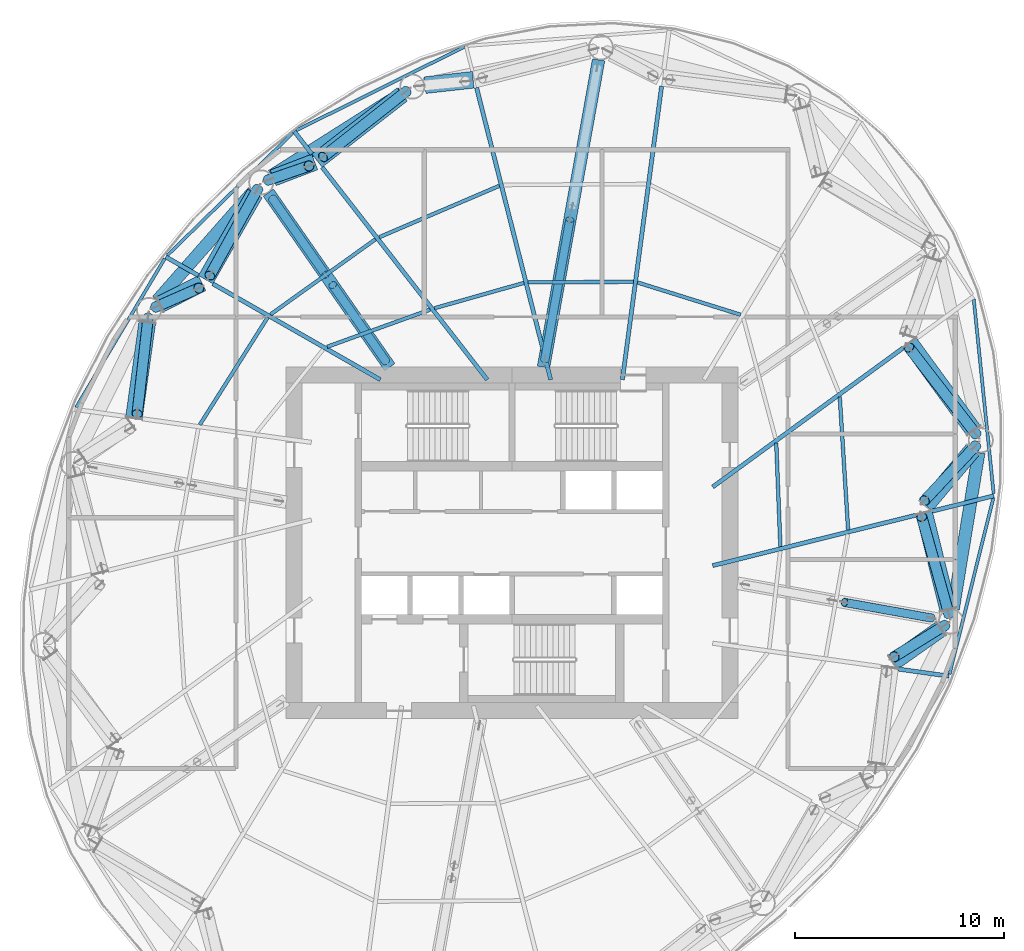
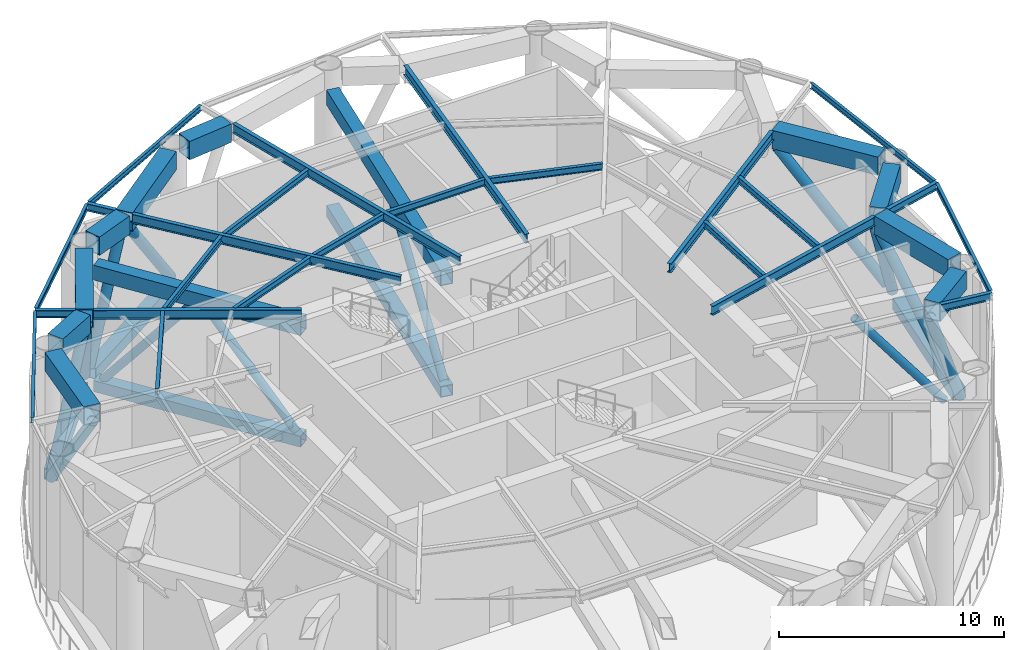
# One storey, part 3 of 15: 30 members, 24 beams.
"""IFC4 building model written with IfcOpenShell, lengths in metres."""

from ifc_helpers import new_model, si_unit, direction, frame, origin, origin_2d, place, context, subcontext, project, spatial, hollow_rectangle, hollow_circle, i_section, extrude, material, material_profile, profile_set, type_object, element, save


model = new_model("IFC4")

# Units and contexts
model_context = context("Model", 3, precision=1e-05, world=origin(), true_north=direction((0.0, 1.0)))
body_context = subcontext(model_context, "Body", "Model", "MODEL_VIEW")
ifc_project = project(units=[si_unit("LENGTHUNIT", "METRE"), si_unit("AREAUNIT", "SQUARE_METRE"), si_unit("VOLUMEUNIT", "CUBIC_METRE"), si_unit("PLANEANGLEUNIT", "RADIAN"), si_unit("MASSUNIT", "GRAM", prefix="KILO")], contexts=[model_context])

# Site, building, storey
site_placement = place(None, origin())
site = spatial("IfcSite", under=ifc_project, at=site_placement, CompositionType="ELEMENT")
building_placement = place(site_placement, origin())
building = spatial("IfcBuilding", under=site, at=building_placement, Name="Vermilion Reach Broadcast Tower", CompositionType="ELEMENT")
storey_placement = place(building_placement, frame((0.0, 0.0, 246.10009765625)))
storey = spatial("IfcBuildingStorey", under=building, at=storey_placement, Name="L61", CompositionType="ELEMENT", Elevation=246.10009765625)

# Members
ifc_material_1 = material(Name="Steel S460NL", Category="steel")
ifc_material_profile_1 = material_profile(ifc_material_1, hollow_rectangle(XDim=0.60009765625, YDim=0.60009765625, WallThickness=0.030029296875, at=origin_2d()), Name="S460NL BOX 600x600x30")
ifc_profile_set_1 = profile_set([ifc_material_profile_1], Name="Steel S460NL")
member_type_1 = type_object("IfcMemberType", Name="BT4-BC BOX 600x600x30", PredefinedType="CHORD", material=ifc_profile_set_1)
member_1_placement = place(storey_placement, frame((-11.27587890625, 21.497314453125, 0.2998046875), z_axis=(-0.84446426774, -0.535611893549, 0.0), x_axis=(0.535611893549, -0.84446426774, 0.0)))
element("IfcMember", 1, at=member_1_placement, inside=storey, type_object=member_type_1, Name="Belt truss bottom chord BT4-BC03", PredefinedType="CHORD", context=body_context, shape_type="SweptSolid", body=[
    extrude(hollow_rectangle(XDim=0.60009765625, YDim=0.60009765625, WallThickness=0.030029296875, at=origin_2d()), origin(), (0.0, 0.0, 1.0), 7.3544921875),
])
member_2_placement = place(storey_placement, frame((-18.3896484375, 16.786376953125, 0.2998046875), z_axis=(-0.660565141761, -0.750768735024, 0.0), x_axis=(0.750768735024, -0.660565141761, 0.0)))
element("IfcMember", 2, at=member_2_placement, inside=storey, type_object=member_type_1, Name="Belt truss bottom chord BT4-BC04", PredefinedType="CHORD", context=body_context, shape_type="SweptSolid", body=[
    extrude(hollow_rectangle(XDim=0.60009765625, YDim=0.60009765625, WallThickness=0.030029296875, at=origin_2d()), origin(), (0.0, 0.0, 1.0), 6.9287109375),
])
member_3_placement = place(storey_placement, frame((15.099609375, -3.175537109375, 0.2998046875), z_axis=(0.161778110263, 0.986827159659, 0.0), x_axis=(-0.986827159659, 0.161778110263, 0.0)))
element("IfcMember", 3, at=member_3_placement, inside=storey, type_object=member_type_1, Name="Belt truss bottom chord BT4-BC14", PredefinedType="CHORD", context=body_context, shape_type="SweptSolid", body=[
    extrude(hollow_rectangle(XDim=0.60009765625, YDim=0.60009765625, WallThickness=0.030029296875, at=origin_2d()), origin(), (0.0, 0.0, 1.0), 7.584716796875),
])
ifc_material_2 = material(Name="Steel S355J2H", Category="steel")
ifc_material_profile_2 = material_profile(ifc_material_2, hollow_circle(Radius=0.25390625, WallThickness=0.02001953125, at=origin_2d()), Name="S355J2H CHS 508x20")
ifc_profile_set_2 = profile_set([ifc_material_profile_2], Name="Steel S355J2H")
member_type_2 = type_object("IfcMemberType", Name="BT4-D CHS 508x20", PredefinedType="BRACE", material=ifc_profile_set_2)
member_4_placement = place(storey_placement, frame((-11.0439453125, 21.60205078125, 0.7998046875), z_axis=(-0.505887547887, -0.398891898704, 0.764828766484), x_axis=(0.619172744057, -0.7852548077, 0.0)))
element("IfcMember", 4, at=member_4_placement, inside=storey, type_object=member_type_2, Name="Belt truss diagonal BT4-D03A", PredefinedType="BRACE", context=body_context, shape_type="SweptSolid", body=[
    extrude(hollow_circle(Radius=0.25390625, WallThickness=0.02001953125, at=origin_2d()), origin(), (0.0, 0.0, 1.0), 7.897216796875),
])
member_5_placement = place(storey_placement, frame((-17.662353515625, 17.35107421875, 0.7998046875), z_axis=(0.30516783839, 0.105356929538, 0.946452591423), x_axis=(-0.326341241305, 0.945252026829, 0.0)))
element("IfcMember", 5, at=member_5_placement, inside=storey, type_object=member_type_2, Name="Belt truss diagonal BT4-D03B", PredefinedType="BRACE", context=body_context, shape_type="SweptSolid", body=[
    extrude(hollow_circle(Radius=0.25390625, WallThickness=0.02001953125, at=origin_2d()), origin(), (0.0, 0.0, 1.0), 6.3818359375),
])
member_6_placement = place(storey_placement, frame((-18.162353515625, 16.930419921875, 0.7998046875), z_axis=(-0.298284173406, -0.540808947882, 0.786480917623), x_axis=(0.875641488517, -0.482961679212, 0.0)))
element("IfcMember", 6, at=member_6_placement, inside=storey, type_object=member_type_2, Name="Belt truss diagonal BT4-D04A", PredefinedType="BRACE", context=body_context, shape_type="SweptSolid", body=[
    extrude(hollow_circle(Radius=0.25390625, WallThickness=0.02001953125, at=origin_2d()), origin(), (0.0, 0.0, 1.0), 7.679931640625),
])
member_7_placement = place(storey_placement, frame((-23.042236328125, 11.2744140625, 0.7998046875), z_axis=(0.319698294207, 0.139962701078, 0.937125094631), x_axis=(-0.401046572744, 0.916057665483, 0.0)))
element("IfcMember", 7, at=member_7_placement, inside=storey, type_object=member_type_2, Name="Belt truss diagonal BT4-D04B", PredefinedType="BRACE", context=body_context, shape_type="SweptSolid", body=[
    extrude(hollow_circle(Radius=0.25390625, WallThickness=0.02001953125, at=origin_2d()), origin(), (0.0, 0.0, 1.0), 6.4453125),
])
member_8_placement = place(storey_placement, frame((-23.402587890625, 10.7861328125, 0.7998046875), z_axis=(-0.069033332246, -0.605923656347, 0.792521874599), x_axis=(0.993572399398, -0.113198441486, 0.0)))
element("IfcMember", 8, at=member_8_placement, inside=storey, type_object=member_type_2, Name="Belt truss diagonal BT4-D05A", PredefinedType="BRACE", context=body_context, shape_type="SweptSolid", body=[
    extrude(hollow_circle(Radius=0.25390625, WallThickness=0.02001953125, at=origin_2d()), origin(), (0.0, 0.0, 1.0), 7.621337890625),
])
member_9_placement = place(storey_placement, frame((14.705078125, -3.951904296875, 0.7998046875), z_axis=(-0.362666063181, -0.22450930383, 0.904471613215), x_axis=(0.526357565355, -0.850263320033, 0.0)))
element("IfcMember", 9, at=member_9_placement, inside=storey, type_object=member_type_2, Name="Belt truss diagonal BT4-D13B", PredefinedType="BRACE", context=body_context, shape_type="SweptSolid", body=[
    extrude(hollow_circle(Radius=0.25390625, WallThickness=0.02001953125, at=origin_2d()), origin(), (0.0, 0.0, 1.0), 6.677978515625),
])
member_10_placement = place(storey_placement, frame((14.907958984375, -3.4306640625, 0.7998046875), z_axis=(-0.168900208809, 0.601768126734, 0.780607353995), x_axis=(-0.962795533332, -0.270230940118, 0.0)))
element("IfcMember", 10, at=member_10_placement, inside=storey, type_object=member_type_2, Name="Belt truss diagonal BT4-D14A", PredefinedType="BRACE", context=body_context, shape_type="SweptSolid", body=[
    extrude(hollow_circle(Radius=0.25390625, WallThickness=0.02001953125, at=origin_2d()), origin(), (0.0, 0.0, 1.0), 7.737548828125),
])
member_11_placement = place(storey_placement, frame((16.18505859375, 4.6455078125, 0.7998046875), z_axis=(-0.349136972785, -0.374174545629, 0.85912559247), x_axis=(0.731145521254, -0.682221537883, 0.0)))
element("IfcMember", 11, at=member_11_placement, inside=storey, type_object=member_type_2, Name="Belt truss diagonal BT4-D14B", PredefinedType="BRACE", context=body_context, shape_type="SweptSolid", body=[
    extrude(hollow_circle(Radius=0.25390625, WallThickness=0.02001953125, at=origin_2d()), origin(), (0.0, 0.0, 1.0), 7.030517578125),
])
member_12_placement = place(storey_placement, frame((16.20947265625, 5.17822265625, 0.7998046875), z_axis=(-0.401701518429, 0.518774221575, 0.75465833138), x_axis=(-0.790672162432, -0.612239766394, 0.0)))
element("IfcMember", 12, at=member_12_placement, inside=storey, type_object=member_type_2, Name="Belt truss diagonal BT4-D15A", PredefinedType="BRACE", context=body_context, shape_type="SweptSolid", body=[
    extrude(hollow_circle(Radius=0.25390625, WallThickness=0.02001953125, at=origin_2d()), origin(), (0.0, 0.0, 1.0), 8.003662109375),
])
ifc_material_3 = material(Name="Steel S460NL", Category="steel")
ifc_material_profile_3 = material_profile(ifc_material_3, hollow_rectangle(XDim=0.800048828125, YDim=1.0, WallThickness=0.0400390625, at=origin_2d()), Name="S460NL BOX 800x1000x40")
ifc_profile_set_3 = profile_set([ifc_material_profile_3], Name="Steel S460NL")
member_type_3 = type_object("IfcMemberType", Name="BT4-TC BOX 800x1000x40", PredefinedType="CHORD", material=ifc_profile_set_3)
member_13_placement = place(storey_placement, frame((-7.857177734375, 22.145751953125, 7.349853515625), z_axis=(-0.99374956646, -0.1116324288, 0.0), x_axis=(0.1116324288, -0.99374956646, 0.0)))
element("IfcMember", 13, at=member_13_placement, inside=storey, type_object=member_type_3, Name="Belt truss top chord BT4-TC04", PredefinedType="CHORD", context=body_context, shape_type="SweptSolid", body=[
    extrude(hollow_rectangle(XDim=0.800048828125, YDim=1.0, WallThickness=0.0400390625, at=origin_2d()), origin(), (0.0, 0.0, 1.0), 2.3203125),
])
member_14_placement = place(storey_placement, frame((-11.2509765625, 21.4443359375, 7.349853515625), z_axis=(-0.789578866867, -0.61364909598, 0.0), x_axis=(0.61364909598, -0.789578866867, 0.0)))
element("IfcMember", 14, at=member_14_placement, inside=storey, type_object=member_type_3, Name="Belt truss top chord BT4-TC05", PredefinedType="CHORD", context=body_context, shape_type="SweptSolid", body=[
    extrude(hollow_rectangle(XDim=0.800048828125, YDim=1.0, WallThickness=0.0400390625, at=origin_2d()), origin(), (0.0, 0.0, 1.0), 5.160888671875),
])
member_15_placement = place(storey_placement, frame((-15.437255859375, 18.214599609375, 7.349853515625), z_axis=(-0.934006774125, -0.357255295117, 0.0), x_axis=(0.357255295117, -0.934006774125, 0.0)))
element("IfcMember", 15, at=member_15_placement, inside=storey, type_object=member_type_3, Name="Belt truss top chord BT4-TC06", PredefinedType="CHORD", context=body_context, shape_type="SweptSolid", body=[
    extrude(hollow_rectangle(XDim=0.800048828125, YDim=1.0, WallThickness=0.0400390625, at=origin_2d()), origin(), (0.0, 0.0, 1.0), 2.126708984375),
])
member_16_placement = place(storey_placement, frame((-18.29638671875, 16.70751953125, 7.349853515625), z_axis=(-0.496675773172, -0.867936159141, 0.0), x_axis=(0.867936159141, -0.496675773172, 0.0)))
element("IfcMember", 16, at=member_16_placement, inside=storey, type_object=member_type_3, Name="Belt truss top chord BT4-TC07", PredefinedType="CHORD", context=body_context, shape_type="SweptSolid", body=[
    extrude(hollow_rectangle(XDim=0.800048828125, YDim=1.0, WallThickness=0.0400390625, at=origin_2d()), origin(), (0.0, 0.0, 1.0), 4.749755859375),
])
member_17_placement = place(storey_placement, frame((-20.82861328125, 12.42041015625, 7.349853515625), z_axis=(-0.891698013812, -0.452630812212, 0.0), x_axis=(0.452630812212, -0.891698013812, 0.0)))
element("IfcMember", 17, at=member_17_placement, inside=storey, type_object=member_type_3, Name="Belt truss top chord BT4-TC08", PredefinedType="CHORD", context=body_context, shape_type="SweptSolid", body=[
    extrude(hollow_rectangle(XDim=0.800048828125, YDim=1.0, WallThickness=0.0400390625, at=origin_2d()), origin(), (0.0, 0.0, 1.0), 2.23193359375),
])
member_18_placement = place(storey_placement, frame((-23.447265625, 10.52978515625, 7.349853515625), z_axis=(-0.138209386022, -0.990403031909, 0.0), x_axis=(0.990403031909, -0.138209386022, 0.0)))
element("IfcMember", 18, at=member_18_placement, inside=storey, type_object=member_type_3, Name="Belt truss top chord BT4-TC09", PredefinedType="CHORD", context=body_context, shape_type="SweptSolid", body=[
    extrude(hollow_rectangle(XDim=0.800048828125, YDim=1.0, WallThickness=0.0400390625, at=origin_2d()), origin(), (0.0, 0.0, 1.0), 4.58740234375),
])
member_19_placement = place(storey_placement, frame((12.251708984375, -5.70703125, 7.349853515625), z_axis=(0.817321246994, 0.576182244791, 0.0), x_axis=(-0.576182244791, 0.817321246994, 0.0)))
element("IfcMember", 19, at=member_19_placement, inside=storey, type_object=member_type_3, Name="Belt truss top chord BT4-TC26", PredefinedType="CHORD", context=body_context, shape_type="SweptSolid", body=[
    extrude(hollow_rectangle(XDim=0.800048828125, YDim=1.0, WallThickness=0.0400390625, at=origin_2d()), origin(), (0.0, 0.0, 1.0), 2.755859375),
])
member_20_placement = place(storey_placement, frame((14.855712890625, -3.175537109375, 7.349853515625), z_axis=(-0.240860199822, 0.970559819971, 0.0), x_axis=(-0.970559819971, -0.240860199822, 0.0)))
element("IfcMember", 20, at=member_20_placement, inside=storey, type_object=member_type_3, Name="Belt truss top chord BT4-TC27", PredefinedType="CHORD", context=body_context, shape_type="SweptSolid", body=[
    extrude(hollow_rectangle(XDim=0.800048828125, YDim=1.0, WallThickness=0.0400390625, at=origin_2d()), origin(), (0.0, 0.0, 1.0), 4.732666015625),
])
member_21_placement = place(storey_placement, frame((13.800048828125, 1.780029296875, 7.349853515625), z_axis=(0.64342651771, 0.765507881284, 0.0), x_axis=(-0.765507881284, 0.64342651771, 0.0)))
element("IfcMember", 21, at=member_21_placement, inside=storey, type_object=member_type_3, Name="Belt truss top chord BT4-TC28", PredefinedType="CHORD", context=body_context, shape_type="SweptSolid", body=[
    extrude(hollow_rectangle(XDim=0.800048828125, YDim=1.0, WallThickness=0.0400390625, at=origin_2d()), origin(), (0.0, 0.0, 1.0), 3.4677734375),
])
member_22_placement = place(storey_placement, frame((16.06396484375, 5.39404296875, 7.349853515625), z_axis=(-0.58965388563, 0.807656050037, 0.0), x_axis=(-0.807656050037, -0.58965388563, 0.0)))
element("IfcMember", 22, at=member_22_placement, inside=storey, type_object=member_type_3, Name="Belt truss top chord BT4-TC29", PredefinedType="CHORD", context=body_context, shape_type="SweptSolid", body=[
    extrude(hollow_rectangle(XDim=0.800048828125, YDim=1.0, WallThickness=0.0400390625, at=origin_2d()), origin(), (0.0, 0.0, 1.0), 5.148193359375),
])

# Beams
ifc_material_4 = material(Name="Steel S355J2", Category="steel")
ifc_material_profile_4 = material_profile(ifc_material_4, i_section(OverallWidth=0.14990234375, OverallDepth=0.300048828125, WebThickness=0.006591796875, FlangeThickness=0.009033203125, at=origin_2d()), Name="S355J2 HN 300x150x6.5x9")
ifc_profile_set_4 = profile_set([ifc_material_profile_4], Name="Steel S355J2")
beam_type_1 = type_object("IfcBeamType", Name="EB5 HN 300x150x6.5x9", PredefinedType="BEAM", material=ifc_profile_set_4)
beam_1_placement = place(storey_placement, frame((-8.269775390625, 23.72900390625, 7.699951171875), z_axis=(-0.895304914584, -0.44545382468, 0.0), x_axis=(0.44545382468, -0.895304914584, 0.0)))
element("IfcBeam", 23, at=beam_1_placement, inside=storey, type_object=beam_type_1, Name="Edge beam EB5-02", PredefinedType="BEAM", context=body_context, shape_type="SweptSolid", body=[
    extrude(i_section(OverallWidth=0.14990234375, OverallDepth=0.300048828125, WebThickness=0.006591796875, FlangeThickness=0.009033203125, at=origin_2d()), origin(), (0.0, 0.0, 1.0), 8.994384765625),
])
beam_2_placement = place(storey_placement, frame((-16.48583984375, 19.606689453125, 7.699951171875), z_axis=(-0.715456044362, -0.698657747817, 0.0), x_axis=(0.698657747817, -0.715456044362, 0.0)))
element("IfcBeam", 24, at=beam_2_placement, inside=storey, type_object=beam_type_1, Name="Edge beam EB5-03", PredefinedType="BEAM", context=body_context, shape_type="SweptSolid", body=[
    extrude(i_section(OverallWidth=0.14990234375, OverallDepth=0.300048828125, WebThickness=0.006591796875, FlangeThickness=0.009033203125, at=origin_2d()), origin(), (0.0, 0.0, 1.0), 8.385986328125),
])
beam_3_placement = place(storey_placement, frame((-22.611328125, 13.589111328125, 7.699951171875), z_axis=(-0.511796842836, -0.859106507753, 0.0), x_axis=(0.859106507753, -0.511796842836, 0.0)))
element("IfcBeam", 25, at=beam_3_placement, inside=storey, type_object=beam_type_1, Name="Edge beam EB5-04", PredefinedType="BEAM", context=body_context, shape_type="SweptSolid", body=[
    extrude(i_section(OverallWidth=0.14990234375, OverallDepth=0.300048828125, WebThickness=0.006591796875, FlangeThickness=0.009033203125, at=origin_2d()), origin(), (0.0, 0.0, 1.0), 8.2822265625),
])
beam_4_placement = place(storey_placement, frame((14.929931640625, -6.282958984375, 7.699951171875), z_axis=(0.241210883197, 0.970472724927, 0.0), x_axis=(-0.970472724927, 0.241210883197, 0.0)))
element("IfcBeam", 26, at=beam_4_placement, inside=storey, type_object=beam_type_1, Name="Edge beam EB5-13", PredefinedType="BEAM", context=body_context, shape_type="SweptSolid", body=[
    extrude(i_section(OverallWidth=0.14990234375, OverallDepth=0.300048828125, WebThickness=0.006591796875, FlangeThickness=0.009033203125, at=origin_2d()), origin(), (0.0, 0.0, 1.0), 8.674072265625),
])
beam_5_placement = place(storey_placement, frame((17.0390625, 2.34521484375, 7.699951171875), z_axis=(-0.101813852485, 0.994803467747, 0.0), x_axis=(-0.994803467747, -0.101813852485, 0.0)))
element("IfcBeam", 27, at=beam_5_placement, inside=storey, type_object=beam_type_1, Name="Edge beam EB5-14", PredefinedType="BEAM", context=body_context, shape_type="SweptSolid", body=[
    extrude(i_section(OverallWidth=0.14990234375, OverallDepth=0.300048828125, WebThickness=0.006591796875, FlangeThickness=0.009033203125, at=origin_2d()), origin(), (0.0, 0.0, 1.0), 9.36376953125),
])
ifc_material_5 = material(Name="Steel S355J2", Category="steel")
ifc_material_profile_5 = material_profile(ifc_material_5, i_section(OverallWidth=0.199951171875, OverallDepth=0.5, WebThickness=0.010009765625, FlangeThickness=0.01611328125, at=origin_2d()), Name="S355J2 HN 500x200x10x16")
ifc_profile_set_5 = profile_set([ifc_material_profile_5], Name="Steel S355J2")
beam_type_2 = type_object("IfcBeamType", Name="G5 HN 500x200x10x16", PredefinedType="BEAM", material=ifc_profile_set_5)
beam_6_placement = place(storey_placement, frame((-0.71923828125, 7.800048828125, 7.599853515625), z_axis=(0.132430135577, 0.991192342177, 0.0), x_axis=(-0.991192342177, 0.132430135577, 0.0)))
element("IfcBeam", 28, at=beam_6_placement, inside=storey, type_object=beam_type_2, Name="Girder G5-01", PredefinedType="BEAM", context=body_context, shape_type="SweptSolid", body=[
    extrude(i_section(OverallWidth=0.199951171875, OverallDepth=0.5, WebThickness=0.010009765625, FlangeThickness=0.01611328125, at=origin_2d()), origin(), (0.0, 0.0, 1.0), 14.165771484375),
])
beam_7_placement = place(storey_placement, frame((-4.14990234375, 7.800048828125, 7.599853515625), z_axis=(-0.245981826831, 0.969274440429, 0.0), x_axis=(-0.969274440429, -0.245981826831, 0.0)))
element("IfcBeam", 29, at=beam_7_placement, inside=storey, type_object=beam_type_2, Name="Girder G5-02", PredefinedType="BEAM", context=body_context, shape_type="SweptSolid", body=[
    extrude(i_section(OverallWidth=0.199951171875, OverallDepth=0.5, WebThickness=0.010009765625, FlangeThickness=0.01611328125, at=origin_2d()), origin(), (0.0, 0.0, 1.0), 14.412353515625),
])
beam_8_placement = place(storey_placement, frame((-7.183349609375, 7.800048828125, 7.599853515625), z_axis=(-0.613646378547, 0.789580978808, 0.0), x_axis=(-0.789580978808, -0.613646378547, 0.0)))
element("IfcBeam", 30, at=beam_8_placement, inside=storey, type_object=beam_type_2, Name="Girder G5-03", PredefinedType="BEAM", context=body_context, shape_type="SweptSolid", body=[
    extrude(i_section(OverallWidth=0.199951171875, OverallDepth=0.5, WebThickness=0.010009765625, FlangeThickness=0.01611328125, at=origin_2d()), origin(), (0.0, 0.0, 1.0), 12.869384765625),
])
beam_9_placement = place(storey_placement, frame((-12.29443359375, 7.800048828125, 7.599853515625), z_axis=(-0.867914274008, 0.496714015278, 0.0), x_axis=(-0.496714015278, -0.867914274008, 0.0)))
element("IfcBeam", 31, at=beam_9_placement, inside=storey, type_object=beam_type_2, Name="Girder G5-04", PredefinedType="BEAM", context=body_context, shape_type="SweptSolid", body=[
    extrude(i_section(OverallWidth=0.199951171875, OverallDepth=0.5, WebThickness=0.010009765625, FlangeThickness=0.01611328125, at=origin_2d()), origin(), (0.0, 0.0, 1.0), 9.233642578125),
])
beam_10_placement = place(storey_placement, frame((3.60009765625, -1.092529296875, 7.599853515625), z_axis=(0.970565152156, 0.240838712463, 0.0), x_axis=(-0.240838712463, 0.970565152156, 0.0)))
element("IfcBeam", 32, at=beam_10_placement, inside=storey, type_object=beam_type_2, Name="Girder G5-14", PredefinedType="BEAM", context=body_context, shape_type="SweptSolid", body=[
    extrude(i_section(OverallWidth=0.199951171875, OverallDepth=0.5, WebThickness=0.010009765625, FlangeThickness=0.01611328125, at=origin_2d()), origin(), (0.0, 0.0, 1.0), 10.0224609375),
])
beam_11_placement = place(storey_placement, frame((3.60009765625, 2.66845703125, 7.599853515625), z_axis=(0.807649347064, 0.589663066663, 0.0), x_axis=(-0.589663066663, 0.807649347064, 0.0)))
element("IfcBeam", 33, at=beam_11_placement, inside=storey, type_object=beam_type_2, Name="Girder G5-15", PredefinedType="BEAM", context=body_context, shape_type="SweptSolid", body=[
    extrude(i_section(OverallWidth=0.199951171875, OverallDepth=0.5, WebThickness=0.010009765625, FlangeThickness=0.01611328125, at=origin_2d()), origin(), (0.0, 0.0, 1.0), 11.273681640625),
])
ifc_material_6 = material(Name="Steel S355J2", Category="steel")
ifc_material_profile_6 = material_profile(ifc_material_6, i_section(OverallWidth=0.199951171875, OverallDepth=0.39990234375, WebThickness=0.008056640625, FlangeThickness=0.012939453125, at=origin_2d()), Name="S355J2 HN 400x200x8x13")
ifc_profile_set_6 = profile_set([ifc_material_profile_6], Name="Steel S355J2")
beam_type_3 = type_object("IfcBeamType", Name="GC5 HN 400x200x8x13", PredefinedType="BEAM", material=ifc_profile_set_6)
beam_12_placement = place(storey_placement, frame((-15.571533203125, 18.593017578125, 7.64990234375), z_axis=(-0.613571172347, 0.789639421803, 0.0), x_axis=(-0.789639421803, -0.613571172347, 0.0)))
element("IfcBeam", 34, at=beam_12_placement, inside=storey, type_object=beam_type_3, Name="Cantilever girder GC5-03", PredefinedType="BEAM", context=body_context, shape_type="SweptSolid", body=[
    extrude(i_section(OverallWidth=0.199951171875, OverallDepth=0.39990234375, WebThickness=0.008056640625, FlangeThickness=0.012939453125, at=origin_2d()), origin(), (0.0, 0.0, 1.0), 1.372802734375),
])
beam_13_placement = place(storey_placement, frame((-21.002685546875, 12.78369140625, 7.64990234375), z_axis=(-0.867899655165, 0.496739558083, 0.0), x_axis=(-0.496739558083, -0.867899655165, 0.0)))
element("IfcBeam", 35, at=beam_13_placement, inside=storey, type_object=beam_type_3, Name="Cantilever girder GC5-04", PredefinedType="BEAM", context=body_context, shape_type="SweptSolid", body=[
    extrude(i_section(OverallWidth=0.199951171875, OverallDepth=0.39990234375, WebThickness=0.008056640625, FlangeThickness=0.012939453125, at=origin_2d()), origin(), (0.0, 0.0, 1.0), 1.79443359375),
])
beam_14_placement = place(storey_placement, frame((12.4775390625, -6.041748046875, 7.64990234375), z_axis=(0.990400456991, -0.138227836531, 0.0), x_axis=(0.138227836531, 0.990400456991, 0.0)))
element("IfcBeam", 36, at=beam_14_placement, inside=storey, type_object=beam_type_3, Name="Cantilever girder GC5-13", PredefinedType="BEAM", context=body_context, shape_type="SweptSolid", body=[
    extrude(i_section(OverallWidth=0.199951171875, OverallDepth=0.39990234375, WebThickness=0.008056640625, FlangeThickness=0.012939453125, at=origin_2d()), origin(), (0.0, 0.0, 1.0), 2.451416015625),
])
beam_15_placement = place(storey_placement, frame((14.104248046875, 1.513916015625, 7.64990234375), z_axis=(0.970552852649, 0.240888273301, 0.0), x_axis=(-0.240888273301, 0.970552852649, 0.0)))
element("IfcBeam", 37, at=beam_15_placement, inside=storey, type_object=beam_type_3, Name="Cantilever girder GC5-14", PredefinedType="BEAM", context=body_context, shape_type="SweptSolid", body=[
    extrude(i_section(OverallWidth=0.199951171875, OverallDepth=0.39990234375, WebThickness=0.008056640625, FlangeThickness=0.012939453125, at=origin_2d()), origin(), (0.0, 0.0, 1.0), 3.034423828125),
])

# Members
ifc_material_7 = material(Name="Steel S460NL", Category="steel")
ifc_material_profile_7 = material_profile(ifc_material_7, hollow_rectangle(XDim=0.60009765625, YDim=0.60009765625, WallThickness=0.030029296875, at=origin_2d()), Name="S460NL BOX 600x600x30")
ifc_profile_set_7 = profile_set([ifc_material_profile_7], Name="Steel S460NL")
member_type_4 = type_object("IfcMemberType", Name="OR4-BC BOX 600x600x30", PredefinedType="CHORD", material=ifc_profile_set_7)
member_23_placement = place(storey_placement, frame((-4.4931640625, 8.39990234375, 0.2998046875), z_axis=(0.176574729047, 0.984287237072, 0.0), x_axis=(-0.984287237072, 0.176574729047, 0.0)))
element("IfcMember", 38, at=member_23_placement, inside=storey, type_object=member_type_4, Name="Outrigger bottom chord OR4-02", PredefinedType="CHORD", context=body_context, shape_type="SweptSolid", body=[
    extrude(hollow_rectangle(XDim=0.60009765625, YDim=0.60009765625, WallThickness=0.030029296875, at=origin_2d()), origin(), (0.0, 0.0, 1.0), 14.935302734375),
])
member_24_placement = place(storey_placement, frame((-11.8447265625, 8.39990234375, 0.2998046875), z_axis=(-0.571134149017, 0.8208567377, 0.0), x_axis=(-0.8208567377, -0.571134149017, 0.0)))
element("IfcMember", 39, at=member_24_placement, inside=storey, type_object=member_type_4, Name="Outrigger bottom chord OR4-04", PredefinedType="CHORD", context=body_context, shape_type="SweptSolid", body=[
    extrude(hollow_rectangle(XDim=0.60009765625, YDim=0.60009765625, WallThickness=0.030029296875, at=origin_2d()), origin(), (0.0, 0.0, 1.0), 10.16552734375),
])
ifc_material_8 = material(Name="Steel S355J2H", Category="steel")
ifc_material_profile_8 = material_profile(ifc_material_8, hollow_circle(Radius=0.203125, WallThickness=0.01611328125, at=origin_2d()), Name="S355J2H CHS 406x16")
ifc_profile_set_8 = profile_set([ifc_material_profile_8], Name="Steel S355J2H")
member_type_5 = type_object("IfcMemberType", Name="OR4-D CHS 406x16", PredefinedType="BRACE", material=ifc_profile_set_8)
member_25_placement = place(storey_placement, frame((-4.431396484375, 8.744384765625, 0.599853515625), z_axis=(0.137924471372, 0.76883592468, 0.624394235334), x_axis=(-0.984287168855, 0.176575109311, 0.0)))
element("IfcMember", 40, at=member_25_placement, inside=storey, type_object=member_type_5, Name="Outrigger diagonal OR4-02-DA", PredefinedType="BRACE", context=body_context, shape_type="SweptSolid", body=[
    extrude(hollow_circle(Radius=0.203125, WallThickness=0.01611328125, at=origin_2d()), origin(), (0.0, 0.0, 1.0), 8.728271484375),
])
for number, where, z_axis, x_axis, name in (
    (41, (-12.044677734375, 8.687255859375, 0.599853515625), (-0.360386232714, 0.517955295311, 0.775786101531), (-0.82085356024, -0.57113871576, 0.0), "Outrigger diagonal OR4-04-DA"),
    (42, (-17.45068359375, 16.45703125, 0.599853515625), (0.360386232714, -0.517955295311, 0.775786101531), (0.82085356024, 0.57113871576, 0.0), "Outrigger diagonal OR4-04-DB"),
):
    element("IfcMember", number, at=place(storey_placement, frame(where, z_axis=z_axis, x_axis=x_axis)), inside=storey, type_object=member_type_5, Name=name, PredefinedType="BRACE", context=body_context, shape_type="SweptSolid", body=[
        extrude(hollow_circle(Radius=0.203125, WallThickness=0.01611328125, at=origin_2d()), origin(), (0.0, 0.0, 1.0), 7.025146484375),
    ])
member_26_placement = place(storey_placement, frame((14.067626953125, -3.599853515625, 0.599853515625), z_axis=(-0.60375398085, 0.108297154139, 0.789780258688), x_axis=(-0.176555169792, -0.984290745674, 0.0)))
element("IfcMember", 43, at=member_26_placement, inside=storey, type_object=member_type_5, Name="Outrigger diagonal OR4-14-DB", PredefinedType="BRACE", context=body_context, shape_type="SweptSolid", body=[
    extrude(hollow_circle(Radius=0.203125, WallThickness=0.01611328125, at=origin_2d()), origin(), (0.0, 0.0, 1.0), 6.900634765625),
])
ifc_material_9 = material(Name="Steel S460NL", Category="steel")
ifc_material_profile_9 = material_profile(ifc_material_9, hollow_rectangle(XDim=0.60009765625, YDim=0.800048828125, WallThickness=0.030029296875, at=origin_2d()), Name="S460NL BOX 600x800x30")
ifc_profile_set_9 = profile_set([ifc_material_profile_9], Name="Steel S460NL")
member_type_6 = type_object("IfcMemberType", Name="OR4-TC BOX 600x800x30", PredefinedType="CHORD", material=ifc_profile_set_9)
member_27_placement = place(storey_placement, frame((-4.4931640625, 8.39990234375, 6.449951171875), z_axis=(0.176574729047, 0.984287237072, 0.0), x_axis=(-0.984287237072, 0.176574729047, 0.0)))
element("IfcMember", 44, at=member_27_placement, inside=storey, type_object=member_type_6, Name="Outrigger top chord OR4-02", PredefinedType="CHORD", context=body_context, shape_type="SweptSolid", body=[
    extrude(hollow_rectangle(XDim=0.60009765625, YDim=0.800048828125, WallThickness=0.030029296875, at=origin_2d()), origin(), (0.0, 0.0, 1.0), 14.935302734375),
])
member_28_placement = place(storey_placement, frame((-11.8447265625, 8.39990234375, 6.449951171875), z_axis=(-0.571134149017, 0.8208567377, 0.0), x_axis=(-0.8208567377, -0.571134149017, 0.0)))
element("IfcMember", 45, at=member_28_placement, inside=storey, type_object=member_type_6, Name="Outrigger top chord OR4-04", PredefinedType="CHORD", context=body_context, shape_type="SweptSolid", body=[
    extrude(hollow_rectangle(XDim=0.60009765625, YDim=0.800048828125, WallThickness=0.030029296875, at=origin_2d()), origin(), (0.0, 0.0, 1.0), 10.16552734375),
])

# Beams
ifc_material_10 = material(Name="Steel S355J2", Category="steel")
ifc_material_profile_10 = material_profile(ifc_material_10, i_section(OverallWidth=0.175048828125, OverallDepth=0.35009765625, WebThickness=0.007080078125, FlangeThickness=0.010986328125, at=origin_2d()), Name="S355J2 HN 350x175x7x11")
ifc_profile_set_10 = profile_set([ifc_material_profile_10], Name="Steel S355J2")
beam_type_4 = type_object("IfcBeamType", Name="SB5 HN 350x175x7x11", PredefinedType="BEAM", material=ifc_profile_set_10)
beam_16_placement = place(storey_placement, frame((-0.195068359375, 12.47998046875, 7.6748046875), z_axis=(-0.999989606352, -0.004559296842, 0.0), x_axis=(0.004559296842, -0.999989606352, 0.0)))
element("IfcBeam", 46, at=beam_16_placement, inside=storey, type_object=beam_type_4, Name="Secondary beam SB5-01-1", PredefinedType="BEAM", context=body_context, shape_type="SweptSolid", body=[
    extrude(i_section(OverallWidth=0.175048828125, OverallDepth=0.35009765625, WebThickness=0.007080078125, FlangeThickness=0.010986328125, at=origin_2d()), origin(), (0.0, 0.0, 1.0), 5.033447265625),
])
beam_17_placement = place(storey_placement, frame((-5.427734375, 12.42919921875, 7.6748046875), z_axis=(-0.962197641599, -0.272352158982, 0.0), x_axis=(0.272352158982, -0.962197641599, 0.0)))
element("IfcBeam", 47, at=beam_17_placement, inside=storey, type_object=beam_type_4, Name="Secondary beam SB5-02-1", PredefinedType="BEAM", context=body_context, shape_type="SweptSolid", body=[
    extrude(i_section(OverallWidth=0.175048828125, OverallDepth=0.35009765625, WebThickness=0.007080078125, FlangeThickness=0.010986328125, at=origin_2d()), origin(), (0.0, 0.0, 1.0), 4.452392578125),
])
beam_18_placement = place(storey_placement, frame((-6.6064453125, 17.0732421875, 7.6748046875), z_axis=(-0.91941553392, -0.393287523304, 0.0), x_axis=(0.393287523304, -0.91941553392, 0.0)))
element("IfcBeam", 48, at=beam_18_placement, inside=storey, type_object=beam_type_4, Name="Secondary beam SB5-02-2", PredefinedType="BEAM", context=body_context, shape_type="SweptSolid", body=[
    extrude(i_section(OverallWidth=0.175048828125, OverallDepth=0.35009765625, WebThickness=0.007080078125, FlangeThickness=0.010986328125, at=origin_2d()), origin(), (0.0, 0.0, 1.0), 6.25048828125),
])
beam_19_placement = place(storey_placement, frame((-9.914794921875, 11.1513671875, 7.6748046875), z_axis=(-0.940632864512, -0.339425712344, 0.0), x_axis=(0.339425712344, -0.940632864512, 0.0)))
element("IfcBeam", 49, at=beam_19_placement, inside=storey, type_object=beam_type_4, Name="Secondary beam SB5-03-1", PredefinedType="BEAM", context=body_context, shape_type="SweptSolid", body=[
    extrude(i_section(OverallWidth=0.175048828125, OverallDepth=0.35009765625, WebThickness=0.007080078125, FlangeThickness=0.010986328125, at=origin_2d()), origin(), (0.0, 0.0, 1.0), 5.238525390625),
])
beam_20_placement = place(storey_placement, frame((-12.529541015625, 14.51611328125, 7.6748046875), z_axis=(-0.812955061895, -0.582326426792, 0.0), x_axis=(0.582326426792, -0.812955061895, 0.0)))
element("IfcBeam", 50, at=beam_20_placement, inside=storey, type_object=beam_type_4, Name="Secondary beam SB5-03-2", PredefinedType="BEAM", context=body_context, shape_type="SweptSolid", body=[
    extrude(i_section(OverallWidth=0.175048828125, OverallDepth=0.35009765625, WebThickness=0.007080078125, FlangeThickness=0.010986328125, at=origin_2d()), origin(), (0.0, 0.0, 1.0), 6.172607421875),
])
beam_21_placement = place(storey_placement, frame((-17.690673828125, 10.77294921875, 7.6748046875), z_axis=(-0.534432209023, -0.845211342777, 0.0), x_axis=(0.845211342777, -0.534432209023, 0.0)))
element("IfcBeam", 51, at=beam_21_placement, inside=storey, type_object=beam_type_4, Name="Secondary beam SB5-04-2", PredefinedType="BEAM", context=body_context, shape_type="SweptSolid", body=[
    extrude(i_section(OverallWidth=0.175048828125, OverallDepth=0.35009765625, WebThickness=0.007080078125, FlangeThickness=0.010986328125, at=origin_2d()), origin(), (0.0, 0.0, 1.0), 6.06396484375),
])
beam_22_placement = place(storey_placement, frame((6.83837890625, -0.185791015625, 7.6748046875), z_axis=(-0.040066445145, 0.999197017596, 0.0), x_axis=(-0.999197017596, -0.040066445145, 0.0)))
element("IfcBeam", 52, at=beam_22_placement, inside=storey, type_object=beam_type_4, Name="Secondary beam SB5-14-1", PredefinedType="BEAM", context=body_context, shape_type="SweptSolid", body=[
    extrude(i_section(OverallWidth=0.175048828125, OverallDepth=0.35009765625, WebThickness=0.007080078125, FlangeThickness=0.010986328125, at=origin_2d()), origin(), (0.0, 0.0, 1.0), 4.953857421875),
])
beam_23_placement = place(storey_placement, frame((10.078857421875, 0.6181640625, 7.6748046875), z_axis=(-0.062907458592, 0.998019364368, 0.0), x_axis=(-0.998019364368, -0.062907458592, 0.0)))
element("IfcBeam", 53, at=beam_23_placement, inside=storey, type_object=beam_type_4, Name="Secondary beam SB5-14-2", PredefinedType="BEAM", context=body_context, shape_type="SweptSolid", body=[
    extrude(i_section(OverallWidth=0.175048828125, OverallDepth=0.35009765625, WebThickness=0.007080078125, FlangeThickness=0.010986328125, at=origin_2d()), origin(), (0.0, 0.0, 1.0), 6.37646484375),
])
beam_24_placement = place(storey_placement, frame((4.93359375, 10.907470703125, 7.6748046875), z_axis=(-0.954375654525, 0.298608623536, 0.0), x_axis=(-0.298608623536, -0.954375654525, 0.0)))
element("IfcBeam", 54, at=beam_24_placement, inside=storey, type_object=beam_type_4, Name="Secondary beam SB5-16-1", PredefinedType="BEAM", context=body_context, shape_type="SweptSolid", body=[
    extrude(i_section(OverallWidth=0.175048828125, OverallDepth=0.35009765625, WebThickness=0.007080078125, FlangeThickness=0.010986328125, at=origin_2d()), origin(), (0.0, 0.0, 1.0), 5.166259765625),
])

save(model, "model.ifc")
